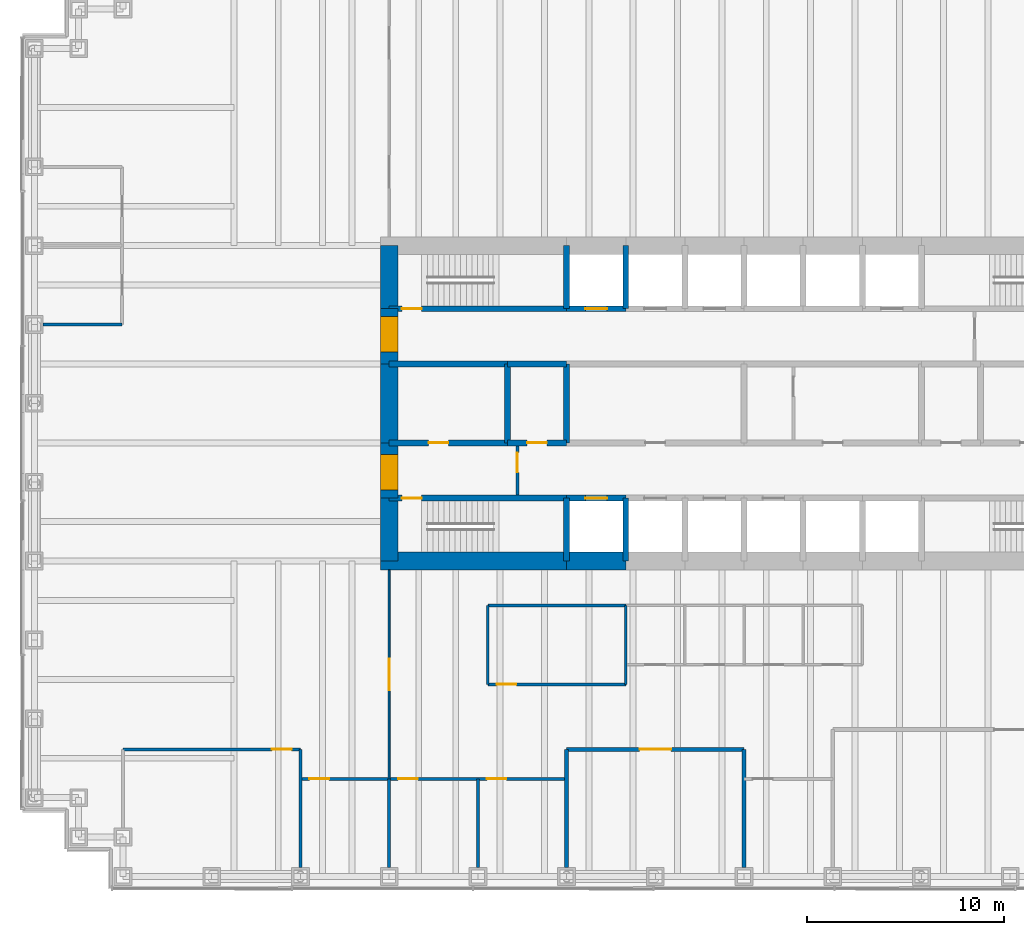
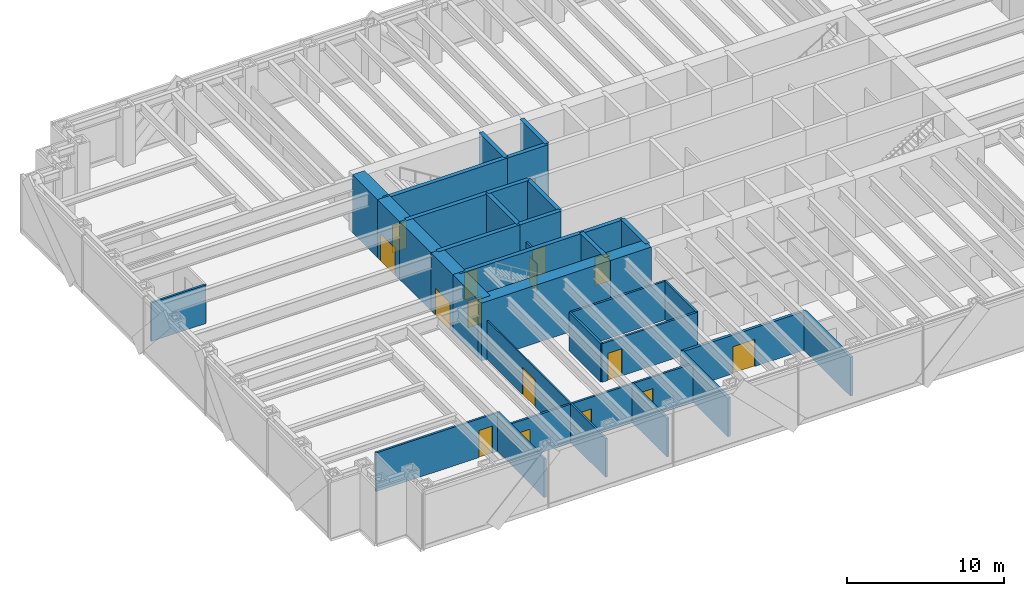
# One storey, part 9 of 13: 36 walls, 16 doors, 16 openings.
"""IFC4 building model written with IfcOpenShell, lengths in metres."""

from ifc_helpers import new_model, si_unit, direction, frame, frame_2d, origin, place, context, subcontext, project, spatial, rectangle, extrude, material, layer, layer_set, type_object, element, fill, save


model = new_model("IFC4")

# Units and contexts
model_context = context("Model", 3, precision=1e-05, world=origin(), true_north=direction((0.0, 1.0)))
body_context = subcontext(model_context, "Body", "Model", "MODEL_VIEW")
ifc_project = project(units=[si_unit("LENGTHUNIT", "METRE"), si_unit("AREAUNIT", "SQUARE_METRE"), si_unit("VOLUMEUNIT", "CUBIC_METRE"), si_unit("PLANEANGLEUNIT", "RADIAN"), si_unit("MASSUNIT", "GRAM", prefix="KILO")], contexts=[model_context])

# Site, building, storey
site_placement = place(None, origin())
site = spatial("IfcSite", under=ifc_project, at=site_placement, CompositionType="ELEMENT")
building_placement = place(site_placement, origin())
building = spatial("IfcBuilding", under=site, at=building_placement, Name="Rheinbord Bourse Tower", CompositionType="ELEMENT")
storey_placement = place(building_placement, frame((0.0, 0.0, 36.5)))
storey = spatial("IfcBuildingStorey", under=building, at=storey_placement, Name="L07", CompositionType="ELEMENT", Elevation=36.5)

# Wall, opening, door
ifc_material_1 = material(Name="Acoustic gypsum board partition", Category="gypsum board")
ifc_layer_1 = layer(ifc_material_1, 0.199951171875)
ifc_layer_set_1 = layer_set([ifc_layer_1], Name="ACOUSTIC PARTITION 200")
wall_type_1 = type_object("IfcWallType", Name="ACOUSTIC PARTITION 200", PredefinedType="PARTITIONING", material=ifc_layer_set_1)
wall_1_placement = place(storey_placement, frame((27.0, 6.449951171875, 0.0), z_axis=(0.0, 0.0, 1.0), x_axis=(1.0, 0.0, 0.0)))
wall_1 = element("IfcWall", 1, at=wall_1_placement, inside=storey, type_object=wall_type_1, Name="Partition L07-04", PredefinedType="PARTITIONING", context=body_context, shape_type="SweptSolid", body=[
    extrude(rectangle(XDim=9.0, YDim=0.199951171875, at=frame_2d((4.5, 0.0))), origin(), (0.0, 0.0, 1.0), 3.0),
])
opening_1_placement = place(wall_1_placement, frame((3.699951171875, 0.0, 0.0)))
opening_1 = element("IfcOpeningElement", 2, at=opening_1_placement, cuts=wall_1, Name="Opening 07D06", PredefinedType="OPENING", context=body_context, shape_type="SweptSolid", body=[
    extrude(rectangle(XDim=1.60009765625, YDim=2.10009765625, at=frame_2d((0.800048828125, 1.050048828125))), frame((0.0, 0.10986328125, 0.0), z_axis=(0.0, -1.0, 0.0), x_axis=(1.0, 0.0, 0.0)), (0.0, 0.0, 1.0), 0.219970703125),
])
ifc_material_2 = material(Name="Timber door", Category="wood")
door_type_1 = type_object("IfcDoorType", Name="DOUBLE ROOM DOOR 1600", OperationType="DOUBLE_DOOR_DOUBLE_SWING", PredefinedType="DOOR", material=ifc_material_2)
door_1_placement = place(opening_1_placement, origin())
door_1 = element("IfcDoor", 3, at=door_1_placement, inside=storey, type_object=door_type_1, Name="Risk room door L07", OperationType="SINGLE_SWING_LEFT", OverallHeight=2.10009765625, OverallWidth=1.60009765625, PredefinedType="DOOR", context=body_context, shape_type="SweptSolid", body=[
    extrude(rectangle(XDim=1.60009765625, YDim=2.10009765625, at=frame_2d((0.800048828125, 1.050048828125))), frame((0.0, 0.02490234375, 0.0), z_axis=(0.0, -1.0, 0.0), x_axis=(1.0, 0.0, 0.0)), (0.0, 0.0, 1.0), 0.050048828125),
])
fill(opening_1, door_1)

# Walls
for number, where, z_axis, x_axis, name in (
    (4, (27.0, 0.449951171875, 0.0), (0.0, 0.0, 1.0), (0.0, 1.0, 0.0), "Partition L07-28"),
    (5, (36.0, 0.449951171875, 0.0), (0.0, 0.0, 1.0), (0.0, 1.0, 0.0), "Partition L07-31"),
):
    element("IfcWall", number, at=place(storey_placement, frame(where, z_axis=z_axis, x_axis=x_axis)), inside=storey, type_object=wall_type_1, Name=name, PredefinedType="PARTITIONING", context=body_context, shape_type="SweptSolid", body=[
        extrude(rectangle(XDim=6.0, YDim=0.199951171875, at=frame_2d((3.0, 0.0))), origin(), (0.0, 0.0, 1.0), 3.0),
    ])

# Wall, opening, door
ifc_material_3 = material(Name="Concrete C50/60", Category="concrete")
ifc_layer_2 = layer(ifc_material_3, 0.300048828125)
ifc_layer_set_2 = layer_set([ifc_layer_2], Name="CORE INNER WALL 300")
wall_type_2 = type_object("IfcWallType", Name="CORE INNER WALL 300", PredefinedType="SOLIDWALL", material=ifc_layer_set_2)
wall_2_placement = place(storey_placement, frame((18.0, 19.199951171875, 0.0), z_axis=(0.0, 0.0, 1.0), x_axis=(1.0, 0.0, 0.0)))
wall_2 = element("IfcWall", 6, at=wall_2_placement, inside=storey, type_object=wall_type_2, Name="Core wall A1 L07", PredefinedType="SOLIDWALL", context=body_context, shape_type="SweptSolid", body=[
    extrude(rectangle(XDim=9.0, YDim=0.300048828125, at=frame_2d((4.5, 0.0))), origin(), (0.0, 0.0, 1.0), 4.5),
])
opening_2_placement = place(wall_2_placement, frame((0.64990234375, 0.0, 0.0)))
opening_2 = element("IfcOpeningElement", 7, at=opening_2_placement, cuts=wall_2, Name="Opening 0710", PredefinedType="OPENING", context=body_context, shape_type="SweptSolid", body=[
    extrude(rectangle(XDim=1.0, YDim=2.10009765625, at=frame_2d((0.5, 1.050048828125))), frame((0.0, 0.159912109375, 0.0), z_axis=(0.0, -1.0, 0.0), x_axis=(1.0, 0.0, 0.0)), (0.0, 0.0, 1.0), 0.320068359375),
])
ifc_material_4 = material(Name="Steel door", Category="steel")
door_type_2 = type_object("IfcDoorType", Name="DOOR 1000 EI30", OperationType="SINGLE_SWING_LEFT", PredefinedType="DOOR", material=ifc_material_4)
door_2_placement = place(opening_2_placement, origin())
door_2 = element("IfcDoor", 8, at=door_2_placement, inside=storey, type_object=door_type_2, Name="Stair door ST1 L07", OperationType="SINGLE_SWING_LEFT", OverallHeight=2.10009765625, OverallWidth=1.0, PredefinedType="DOOR", context=body_context, shape_type="SweptSolid", body=[
    extrude(rectangle(XDim=1.0, YDim=2.10009765625, at=frame_2d((0.5, 1.050048828125))), frame((0.0, 0.02490234375, 0.0), z_axis=(0.0, -1.0, 0.0), x_axis=(1.0, 0.0, 0.0)), (0.0, 0.0, 1.0), 0.050048828125),
])
fill(opening_2, door_2)

wall_3_placement = place(storey_placement, frame((27.0, 19.199951171875, 0.0), z_axis=(0.0, 0.0, 1.0), x_axis=(1.0, 0.0, 0.0)))
wall_3 = element("IfcWall", 9, at=wall_3_placement, inside=storey, type_object=wall_type_2, Name="Core wall A2 L07", PredefinedType="SOLIDWALL", context=body_context, shape_type="SweptSolid", body=[
    extrude(rectangle(XDim=3.0, YDim=0.300048828125, at=frame_2d((1.5, 0.0))), origin(), (0.0, 0.0, 1.0), 4.5),
])
opening_3_placement = place(wall_3_placement, frame((0.949951171875, 0.0, 0.0)))
opening_3 = element("IfcOpeningElement", 10, at=opening_3_placement, cuts=wall_3, Name="Opening FL1", PredefinedType="OPENING", context=body_context, shape_type="SweptSolid", body=[
    extrude(rectangle(XDim=1.10009765625, YDim=2.199951171875, at=frame_2d((0.550048828125, 1.10009765625))), frame((0.0, 0.159912109375, 0.0), z_axis=(0.0, -1.0, 0.0), x_axis=(1.0, 0.0, 0.0)), (0.0, 0.0, 1.0), 0.320068359375),
])
ifc_material_5 = material(Name="Steel landing door", Category="steel")
door_type_3 = type_object("IfcDoorType", Name="LIFT LANDING DOOR 1100", OperationType="DOUBLE_DOOR_SLIDING", PredefinedType="USERDEFINED", material=ifc_material_5)
door_3_placement = place(opening_3_placement, origin())
door_3 = element("IfcDoor", 11, at=door_3_placement, inside=storey, type_object=door_type_3, Name="Lift landing door FL1 L07", ObjectType="LIFT LANDING DOOR", OperationType="DOUBLE_DOOR_SLIDING", OverallHeight=2.199951171875, OverallWidth=1.10009765625, PredefinedType="USERDEFINED", context=body_context, shape_type="SweptSolid", body=[
    extrude(rectangle(XDim=1.10009765625, YDim=2.199951171875, at=frame_2d((0.550048828125, 1.10009765625))), frame((0.0, 0.02490234375, 0.0), z_axis=(0.0, -1.0, 0.0), x_axis=(1.0, 0.0, 0.0)), (0.0, 0.0, 1.0), 0.050048828125),
])
fill(opening_3, door_3)

wall_4_placement = place(storey_placement, frame((18.0, 28.800048828125, 0.0), z_axis=(0.0, 0.0, 1.0), x_axis=(1.0, 0.0, 0.0)))
wall_4 = element("IfcWall", 12, at=wall_4_placement, inside=storey, type_object=wall_type_2, Name="Core wall B1 L07", PredefinedType="SOLIDWALL", context=body_context, shape_type="SweptSolid", body=[
    extrude(rectangle(XDim=9.0, YDim=0.300048828125, at=frame_2d((4.5, 0.0))), origin(), (0.0, 0.0, 1.0), 4.5),
])
opening_4_placement = place(wall_4_placement, frame((0.64990234375, 0.0, 0.0)))
opening_4 = element("IfcOpeningElement", 13, at=opening_4_placement, cuts=wall_4, Name="Opening 0720", PredefinedType="OPENING", context=body_context, shape_type="SweptSolid", body=[
    extrude(rectangle(XDim=1.0, YDim=2.10009765625, at=frame_2d((0.5, 1.050048828125))), frame((0.0, 0.159912109375, 0.0), z_axis=(0.0, -1.0, 0.0), x_axis=(1.0, 0.0, 0.0)), (0.0, 0.0, 1.0), 0.320068359375),
])
door_4_placement = place(opening_4_placement, origin())
door_4 = element("IfcDoor", 14, at=door_4_placement, inside=storey, type_object=door_type_2, Name="Stair door ST2 L07", OperationType="SINGLE_SWING_LEFT", OverallHeight=2.10009765625, OverallWidth=1.0, PredefinedType="DOOR", context=body_context, shape_type="SweptSolid", body=[
    extrude(rectangle(XDim=1.0, YDim=2.10009765625, at=frame_2d((0.5, 1.050048828125))), frame((0.0, 0.02490234375, 0.0), z_axis=(0.0, -1.0, 0.0), x_axis=(1.0, 0.0, 0.0)), (0.0, 0.0, 1.0), 0.050048828125),
])
fill(opening_4, door_4)

wall_5_placement = place(storey_placement, frame((27.0, 28.800048828125, 0.0), z_axis=(0.0, 0.0, 1.0), x_axis=(1.0, 0.0, 0.0)))
wall_5 = element("IfcWall", 15, at=wall_5_placement, inside=storey, type_object=wall_type_2, Name="Core wall B2 L07", PredefinedType="SOLIDWALL", context=body_context, shape_type="SweptSolid", body=[
    extrude(rectangle(XDim=3.0, YDim=0.300048828125, at=frame_2d((1.5, 0.0))), origin(), (0.0, 0.0, 1.0), 4.5),
])
opening_5_placement = place(wall_5_placement, frame((0.949951171875, 0.0, 0.0)))
opening_5 = element("IfcOpeningElement", 16, at=opening_5_placement, cuts=wall_5, Name="Opening GL1", PredefinedType="OPENING", context=body_context, shape_type="SweptSolid", body=[
    extrude(rectangle(XDim=1.10009765625, YDim=2.199951171875, at=frame_2d((0.550048828125, 1.10009765625))), frame((0.0, 0.159912109375, 0.0), z_axis=(0.0, -1.0, 0.0), x_axis=(1.0, 0.0, 0.0)), (0.0, 0.0, 1.0), 0.320068359375),
])
door_5_placement = place(opening_5_placement, origin())
door_5 = element("IfcDoor", 17, at=door_5_placement, inside=storey, type_object=door_type_3, Name="Lift landing door GL1 L07", ObjectType="LIFT LANDING DOOR", OperationType="DOUBLE_DOOR_SLIDING", OverallHeight=2.199951171875, OverallWidth=1.10009765625, PredefinedType="USERDEFINED", context=body_context, shape_type="SweptSolid", body=[
    extrude(rectangle(XDim=1.10009765625, YDim=2.199951171875, at=frame_2d((0.550048828125, 1.10009765625))), frame((0.0, 0.02490234375, 0.0), z_axis=(0.0, -1.0, 0.0), x_axis=(1.0, 0.0, 0.0)), (0.0, 0.0, 1.0), 0.050048828125),
])
fill(opening_5, door_5)

wall_6_placement = place(storey_placement, frame((18.0, 22.0, 0.0), z_axis=(0.0, 0.0, 1.0), x_axis=(1.0, 0.0, 0.0)))
wall_6 = element("IfcWall", 18, at=wall_6_placement, inside=storey, type_object=wall_type_2, Name="Core wall C1 L07", PredefinedType="SOLIDWALL", context=body_context, shape_type="SweptSolid", body=[
    extrude(rectangle(XDim=6.0, YDim=0.300048828125, at=frame_2d((3.0, 0.0))), origin(), (0.0, 0.0, 1.0), 4.5),
])
opening_6_placement = place(wall_6_placement, frame((2.0, 0.0, 0.0)))
opening_6 = element("IfcOpeningElement", 19, at=opening_6_placement, cuts=wall_6, Name="Opening 07R1", PredefinedType="OPENING", context=body_context, shape_type="SweptSolid", body=[
    extrude(rectangle(XDim=1.0, YDim=2.10009765625, at=frame_2d((0.5, 1.050048828125))), frame((0.0, 0.159912109375, 0.0), z_axis=(0.0, -1.0, 0.0), x_axis=(1.0, 0.0, 0.0)), (0.0, 0.0, 1.0), 0.320068359375),
])
ifc_material_6 = material(Name="Timber door", Category="wood")
door_type_4 = type_object("IfcDoorType", Name="DOOR 1000 WC", OperationType="SINGLE_SWING_LEFT", PredefinedType="DOOR", material=ifc_material_6)
door_6_placement = place(opening_6_placement, origin())
door_6 = element("IfcDoor", 20, at=door_6_placement, inside=storey, type_object=door_type_4, Name="WC men door L07", OperationType="SINGLE_SWING_LEFT", OverallHeight=2.10009765625, OverallWidth=1.0, PredefinedType="DOOR", context=body_context, shape_type="SweptSolid", body=[
    extrude(rectangle(XDim=1.0, YDim=2.10009765625, at=frame_2d((0.5, 1.050048828125))), frame((0.0, 0.02490234375, 0.0), z_axis=(0.0, -1.0, 0.0), x_axis=(1.0, 0.0, 0.0)), (0.0, 0.0, 1.0), 0.050048828125),
])
fill(opening_6, door_6)

wall_7_placement = place(storey_placement, frame((24.0, 22.0, 0.0), z_axis=(0.0, 0.0, 1.0), x_axis=(1.0, 0.0, 0.0)))
wall_7 = element("IfcWall", 21, at=wall_7_placement, inside=storey, type_object=wall_type_2, Name="Core wall C2 L07", PredefinedType="SOLIDWALL", context=body_context, shape_type="SweptSolid", body=[
    extrude(rectangle(XDim=3.0, YDim=0.300048828125, at=frame_2d((1.5, 0.0))), origin(), (0.0, 0.0, 1.0), 4.5),
])
opening_7_placement = place(wall_7_placement, frame((1.0, 0.0, 0.0)))
opening_7 = element("IfcOpeningElement", 22, at=opening_7_placement, cuts=wall_7, Name="Opening 07R2", PredefinedType="OPENING", context=body_context, shape_type="SweptSolid", body=[
    extrude(rectangle(XDim=1.0, YDim=2.10009765625, at=frame_2d((0.5, 1.050048828125))), frame((0.0, 0.159912109375, 0.0), z_axis=(0.0, -1.0, 0.0), x_axis=(1.0, 0.0, 0.0)), (0.0, 0.0, 1.0), 0.320068359375),
])
door_7_placement = place(opening_7_placement, origin())
door_7 = element("IfcDoor", 23, at=door_7_placement, inside=storey, type_object=door_type_4, Name="Accessible WC door L07", OperationType="SINGLE_SWING_LEFT", OverallHeight=2.10009765625, OverallWidth=1.0, PredefinedType="DOOR", context=body_context, shape_type="SweptSolid", body=[
    extrude(rectangle(XDim=1.0, YDim=2.10009765625, at=frame_2d((0.5, 1.050048828125))), frame((0.0, 0.02490234375, 0.0), z_axis=(0.0, -1.0, 0.0), x_axis=(1.0, 0.0, 0.0)), (0.0, 0.0, 1.0), 0.050048828125),
])
fill(opening_7, door_7)

# Walls
wall_8_placement = place(storey_placement, frame((18.0, 26.0, 0.0), z_axis=(0.0, 0.0, 1.0), x_axis=(1.0, 0.0, 0.0)))
element("IfcWall", 24, at=wall_8_placement, inside=storey, type_object=wall_type_2, Name="Core wall D1 L07", PredefinedType="SOLIDWALL", context=body_context, shape_type="SweptSolid", body=[
    extrude(rectangle(XDim=6.0, YDim=0.300048828125, at=frame_2d((3.0, 0.0))), origin(), (0.0, 0.0, 1.0), 4.5),
])
wall_9_placement = place(storey_placement, frame((24.0, 26.0, 0.0), z_axis=(0.0, 0.0, 1.0), x_axis=(1.0, 0.0, 0.0)))
element("IfcWall", 25, at=wall_9_placement, inside=storey, type_object=wall_type_2, Name="Core wall D2 L07", PredefinedType="SOLIDWALL", context=body_context, shape_type="SweptSolid", body=[
    extrude(rectangle(XDim=3.0, YDim=0.300048828125, at=frame_2d((1.5, 0.0))), origin(), (0.0, 0.0, 1.0), 4.5),
])
for number, where, z_axis, x_axis, name in (
    (26, (27.0, 16.0, 0.0), (0.0, 0.0, 1.0), (0.0, 1.0, 0.0), "Core wall SX27 L07"),
    (27, (27.0, 28.800048828125, 0.0), (0.0, 0.0, 1.0), (0.0, 1.0, 0.0), "Core wall NX27 L07"),
    (28, (30.0, 16.0, 0.0), (0.0, 0.0, 1.0), (0.0, 1.0, 0.0), "Core wall SX30 L07"),
    (29, (30.0, 28.800048828125, 0.0), (0.0, 0.0, 1.0), (0.0, 1.0, 0.0), "Core wall NX30 L07"),
):
    element("IfcWall", number, at=place(storey_placement, frame(where, z_axis=z_axis, x_axis=x_axis)), inside=storey, type_object=wall_type_2, Name=name, PredefinedType="SOLIDWALL", context=body_context, shape_type="SweptSolid", body=[
        extrude(rectangle(XDim=3.199951171875, YDim=0.300048828125, at=frame_2d((1.60009765625, 0.0))), origin(), (0.0, 0.0, 1.0), 4.5),
    ])
for number, where, z_axis, x_axis, name in (
    (30, (24.0, 22.0, 0.0), (0.0, 0.0, 1.0), (0.0, 1.0, 0.0), "Core wall MX24 L07"),
    (31, (27.0, 22.0, 0.0), (0.0, 0.0, 1.0), (0.0, 1.0, 0.0), "Core wall MX27 L07"),
):
    element("IfcWall", number, at=place(storey_placement, frame(where, z_axis=z_axis, x_axis=x_axis)), inside=storey, type_object=wall_type_2, Name=name, PredefinedType="SOLIDWALL", context=body_context, shape_type="SweptSolid", body=[
        extrude(rectangle(XDim=4.0, YDim=0.300048828125, at=frame_2d((2.0, 0.0))), origin(), (0.0, 0.0, 1.0), 4.5),
    ])

# Wall, opening, door
ifc_material_7 = material(Name="Gypsum board fire partition", Category="gypsum board")
ifc_layer_3 = layer(ifc_material_7, 0.14990234375)
ifc_layer_set_3 = layer_set([ifc_layer_3], Name="CORE PARTITION 150 EI30")
wall_type_3 = type_object("IfcWallType", Name="CORE PARTITION 150 EI30", PredefinedType="PARTITIONING", material=ifc_layer_set_3)
wall_10_placement = place(storey_placement, frame((24.5, 19.35009765625, 0.0), z_axis=(0.0, 0.0, 1.0), x_axis=(0.0, 1.0, 0.0)))
wall_10 = element("IfcWall", 32, at=wall_10_placement, inside=storey, type_object=wall_type_3, Name="Core partition L07-4", PredefinedType="PARTITIONING", context=body_context, shape_type="SweptSolid", body=[
    extrude(rectangle(XDim=2.5, YDim=0.14990234375, at=frame_2d((1.25, 0.0))), origin(), (0.0, 0.0, 1.0), 3.0),
])
opening_8_placement = place(wall_10_placement, frame((1.14990234375, 0.0, 0.0)))
opening_8 = element("IfcOpeningElement", 33, at=opening_8_placement, cuts=wall_10, Name="Opening 07L5", PredefinedType="OPENING", context=body_context, shape_type="SweptSolid", body=[
    extrude(rectangle(XDim=1.0, YDim=2.10009765625, at=frame_2d((0.5, 1.050048828125))), frame((0.0, 0.0849609375, 0.0), z_axis=(0.0, -1.0, 0.0), x_axis=(1.0, 0.0, 0.0)), (0.0, 0.0, 1.0), 0.169921875),
])
door_8_placement = place(opening_8_placement, origin())
door_8 = element("IfcDoor", 34, at=door_8_placement, inside=storey, type_object=door_type_2, Name="Stair lobby door L07", OperationType="SINGLE_SWING_RIGHT", OverallHeight=2.10009765625, OverallWidth=1.0, PredefinedType="DOOR", context=body_context, shape_type="SweptSolid", body=[
    extrude(rectangle(XDim=1.0, YDim=2.10009765625, at=frame_2d((0.5, 1.050048828125))), frame((0.0, 0.02490234375, 0.0), z_axis=(0.0, -1.0, 0.0), x_axis=(1.0, 0.0, 0.0)), (0.0, 0.0, 1.0), 0.050048828125),
])
fill(opening_8, door_8)

# Walls
ifc_material_8 = material(Name="Concrete C50/60", Category="concrete")
ifc_layer_4 = layer(ifc_material_8, 0.89990234375)
ifc_layer_set_4 = layer_set([ifc_layer_4], Name="CORE WALL 900")
wall_type_4 = type_object("IfcWallType", Name="CORE WALL 900", PredefinedType="SHEAR", material=ifc_layer_set_4)
wall_11_placement = place(storey_placement, frame((17.550048828125, 16.0, 0.0), z_axis=(0.0, 0.0, 1.0), x_axis=(1.0, 0.0, 0.0)))
element("IfcWall", 35, at=wall_11_placement, inside=storey, type_object=wall_type_4, Name="Core wall S1 L07", PredefinedType="SHEAR", context=body_context, shape_type="SweptSolid", body=[
    extrude(rectangle(XDim=9.449951171875, YDim=0.89990234375, at=frame_2d((4.72509765625, 0.0))), origin(), (0.0, 0.0, 1.0), 4.5),
])
wall_12_placement = place(storey_placement, frame((27.0, 16.0, 0.0), z_axis=(0.0, 0.0, 1.0), x_axis=(1.0, 0.0, 0.0)))
element("IfcWall", 36, at=wall_12_placement, inside=storey, type_object=wall_type_4, Name="Core wall S2 L07", PredefinedType="SHEAR", context=body_context, shape_type="SweptSolid", body=[
    extrude(rectangle(XDim=3.0, YDim=0.89990234375, at=frame_2d((1.5, 0.0))), origin(), (0.0, 0.0, 1.0), 4.5),
])
wall_13_placement = place(storey_placement, frame((18.0, 32.0, 0.0), z_axis=(0.0, 0.0, 1.0), x_axis=(0.0, -1.0, 0.0)))
element("IfcWall", 37, at=wall_13_placement, inside=storey, type_object=wall_type_4, Name="Core wall W1 L07", PredefinedType="SHEAR", context=body_context, shape_type="SweptSolid", body=[
    extrude(rectangle(XDim=3.199951171875, YDim=0.89990234375, at=frame_2d((1.60009765625, 0.0))), origin(), (0.0, 0.0, 1.0), 4.5),
])

# Wall, opening, door
wall_14_placement = place(storey_placement, frame((18.0, 28.800048828125, 0.0), z_axis=(0.0, 0.0, 1.0), x_axis=(0.0, -1.0, 0.0)))
wall_14 = element("IfcWall", 38, at=wall_14_placement, inside=storey, type_object=wall_type_4, Name="Core wall W2 L07", PredefinedType="SHEAR", context=body_context, shape_type="SweptSolid", body=[
    extrude(rectangle(XDim=2.800048828125, YDim=0.89990234375, at=frame_2d((1.39990234375, 0.0))), origin(), (0.0, 0.0, 1.0), 4.5),
])
opening_9_placement = place(wall_14_placement, frame((0.39990234375, 0.0, 0.0)))
opening_9 = element("IfcOpeningElement", 39, at=opening_9_placement, cuts=wall_14, Name="Opening 07L2", PredefinedType="OPENING", context=body_context, shape_type="SweptSolid", body=[
    extrude(rectangle(XDim=1.800048828125, YDim=2.10009765625, at=frame_2d((0.89990234375, 1.050048828125))), frame((0.0, 0.4599609375, 0.0), z_axis=(0.0, -1.0, 0.0), x_axis=(1.0, 0.0, 0.0)), (0.0, 0.0, 1.0), 0.919921875),
])
ifc_material_9 = material(Name="Steel door", Category="steel")
door_type_5 = type_object("IfcDoorType", Name="DOOR 1800 EI30 DOUBLE", OperationType="DOUBLE_DOOR_DOUBLE_SWING", PredefinedType="DOOR", material=ifc_material_9)
door_9_placement = place(opening_9_placement, origin())
door_9 = element("IfcDoor", 40, at=door_9_placement, inside=storey, type_object=door_type_5, Name="Lobby door 2 L07", OperationType="SINGLE_SWING_LEFT", OverallHeight=2.10009765625, OverallWidth=1.800048828125, PredefinedType="DOOR", context=body_context, shape_type="SweptSolid", body=[
    extrude(rectangle(XDim=1.800048828125, YDim=2.10009765625, at=frame_2d((0.89990234375, 1.050048828125))), frame((0.0, 0.44970703125, 0.0), z_axis=(0.0, -1.0, 0.0), x_axis=(1.0, 0.0, 0.0)), (0.0, 0.0, 1.0), 0.8994140625),
])
fill(opening_9, door_9)

# Wall
wall_15_placement = place(storey_placement, frame((18.0, 26.0, 0.0), z_axis=(0.0, 0.0, 1.0), x_axis=(0.0, -1.0, 0.0)))
element("IfcWall", 41, at=wall_15_placement, inside=storey, type_object=wall_type_4, Name="Core wall W3 L07", PredefinedType="SHEAR", context=body_context, shape_type="SweptSolid", body=[
    extrude(rectangle(XDim=4.0, YDim=0.89990234375, at=frame_2d((2.0, 0.0))), origin(), (0.0, 0.0, 1.0), 4.5),
])

# Wall, opening, door
wall_16_placement = place(storey_placement, frame((18.0, 22.0, 0.0), z_axis=(0.0, 0.0, 1.0), x_axis=(0.0, -1.0, 0.0)))
wall_16 = element("IfcWall", 42, at=wall_16_placement, inside=storey, type_object=wall_type_4, Name="Core wall W4 L07", PredefinedType="SHEAR", context=body_context, shape_type="SweptSolid", body=[
    extrude(rectangle(XDim=2.800048828125, YDim=0.89990234375, at=frame_2d((1.39990234375, 0.0))), origin(), (0.0, 0.0, 1.0), 4.5),
])
opening_10_placement = place(wall_16_placement, frame((0.60009765625, 0.0, 0.0)))
opening_10 = element("IfcOpeningElement", 43, at=opening_10_placement, cuts=wall_16, Name="Opening 07L1", PredefinedType="OPENING", context=body_context, shape_type="SweptSolid", body=[
    extrude(rectangle(XDim=1.800048828125, YDim=2.10009765625, at=frame_2d((0.89990234375, 1.050048828125))), frame((0.0, 0.4599609375, 0.0), z_axis=(0.0, -1.0, 0.0), x_axis=(1.0, 0.0, 0.0)), (0.0, 0.0, 1.0), 0.919921875),
])
door_10_placement = place(opening_10_placement, origin())
door_10 = element("IfcDoor", 44, at=door_10_placement, inside=storey, type_object=door_type_5, Name="Lobby door 1 L07", OperationType="SINGLE_SWING_LEFT", OverallHeight=2.10009765625, OverallWidth=1.800048828125, PredefinedType="DOOR", context=body_context, shape_type="SweptSolid", body=[
    extrude(rectangle(XDim=1.800048828125, YDim=2.10009765625, at=frame_2d((0.89990234375, 1.050048828125))), frame((0.0, 0.44970703125, 0.0), z_axis=(0.0, -1.0, 0.0), x_axis=(1.0, 0.0, 0.0)), (0.0, 0.0, 1.0), 0.8994140625),
])
fill(opening_10, door_10)

# Wall
wall_17_placement = place(storey_placement, frame((18.0, 19.199951171875, 0.0), z_axis=(0.0, 0.0, 1.0), x_axis=(0.0, -1.0, 0.0)))
element("IfcWall", 45, at=wall_17_placement, inside=storey, type_object=wall_type_4, Name="Core wall W5 L07", PredefinedType="SHEAR", context=body_context, shape_type="SweptSolid", body=[
    extrude(rectangle(XDim=3.199951171875, YDim=0.89990234375, at=frame_2d((1.60009765625, 0.0))), origin(), (0.0, 0.0, 1.0), 4.5),
])

# Wall, opening, door
ifc_material_10 = material(Name="Gypsum board fire partition", Category="gypsum board")
ifc_layer_5 = layer(ifc_material_10, 0.14990234375)
ifc_layer_set_5 = layer_set([ifc_layer_5], Name="FIRE PARTITION 150 EI60")
wall_type_5 = type_object("IfcWallType", Name="FIRE PARTITION 150 EI60", PredefinedType="PARTITIONING", material=ifc_layer_set_5)
wall_18_placement = place(storey_placement, frame((23.0, 9.75, 0.0), z_axis=(0.0, 0.0, 1.0), x_axis=(1.0, 0.0, 0.0)))
wall_18 = element("IfcWall", 46, at=wall_18_placement, inside=storey, type_object=wall_type_5, Name="Partition L07-07", PredefinedType="PARTITIONING", context=body_context, shape_type="SweptSolid", body=[
    extrude(rectangle(XDim=7.0, YDim=0.14990234375, at=frame_2d((3.5, 0.0))), origin(), (0.0, 0.0, 1.0), 3.0),
])
opening_11_placement = place(wall_18_placement, frame((0.449951171875, 0.0, 0.0)))
opening_11 = element("IfcOpeningElement", 47, at=opening_11_placement, cuts=wall_18, Name="Opening 07D09", PredefinedType="OPENING", context=body_context, shape_type="SweptSolid", body=[
    extrude(rectangle(XDim=1.0, YDim=2.10009765625, at=frame_2d((0.5, 1.050048828125))), frame((0.0, 0.0849609375, 0.0), z_axis=(0.0, -1.0, 0.0), x_axis=(1.0, 0.0, 0.0)), (0.0, 0.0, 1.0), 0.169921875),
])
ifc_material_11 = material(Name="Timber fire door", Category="wood")
door_type_6 = type_object("IfcDoorType", Name="FIRE DOOR 1000 EI60", OperationType="SINGLE_SWING_LEFT", PredefinedType="DOOR", material=ifc_material_11)
door_11_placement = place(opening_11_placement, origin())
door_11 = element("IfcDoor", 48, at=door_11_placement, inside=storey, type_object=door_type_6, Name="Comms room door L07", OperationType="SINGLE_SWING_LEFT", OverallHeight=2.10009765625, OverallWidth=1.0, PredefinedType="DOOR", context=body_context, shape_type="SweptSolid", body=[
    extrude(rectangle(XDim=1.0, YDim=2.10009765625, at=frame_2d((0.5, 1.050048828125))), frame((0.0, 0.02490234375, 0.0), z_axis=(0.0, -1.0, 0.0), x_axis=(1.0, 0.0, 0.0)), (0.0, 0.0, 1.0), 0.050048828125),
])
fill(opening_11, door_11)

# Walls
wall_19_placement = place(storey_placement, frame((23.0, 13.75, 0.0), z_axis=(0.0, 0.0, 1.0), x_axis=(1.0, 0.0, 0.0)))
element("IfcWall", 49, at=wall_19_placement, inside=storey, type_object=wall_type_5, Name="Partition L07-10", PredefinedType="PARTITIONING", context=body_context, shape_type="SweptSolid", body=[
    extrude(rectangle(XDim=7.0, YDim=0.14990234375, at=frame_2d((3.5, 0.0))), origin(), (0.0, 0.0, 1.0), 3.0),
])
for number, where, z_axis, x_axis, name in (
    (50, (23.0, 9.75, 0.0), (0.0, 0.0, 1.0), (0.0, 1.0, 0.0), "Partition L07-27"),
    (51, (30.0, 9.75, 0.0), (0.0, 0.0, 1.0), (0.0, 1.0, 0.0), "Partition L07-29"),
):
    element("IfcWall", number, at=place(storey_placement, frame(where, z_axis=z_axis, x_axis=x_axis)), inside=storey, type_object=wall_type_5, Name=name, PredefinedType="PARTITIONING", context=body_context, shape_type="SweptSolid", body=[
        extrude(rectangle(XDim=4.0, YDim=0.14990234375, at=frame_2d((2.0, 0.0))), origin(), (0.0, 0.0, 1.0), 3.0),
    ])

# Wall, opening, door
ifc_material_12 = material(Name="Toughened laminated glass partition", Category="glass")
ifc_layer_6 = layer(ifc_material_12, 0.10009765625)
ifc_layer_set_6 = layer_set([ifc_layer_6], Name="GLAZED PARTITION 100")
wall_type_6 = type_object("IfcWallType", Name="GLAZED PARTITION 100", PredefinedType="PARTITIONING", material=ifc_layer_set_6)
wall_20_placement = place(storey_placement, frame((18.0, 4.949951171875, 0.0), z_axis=(0.0, 0.0, 1.0), x_axis=(0.0, 1.0, 0.0)))
wall_20 = element("IfcWall", 52, at=wall_20_placement, inside=storey, type_object=wall_type_6, Name="Partition L07-24", PredefinedType="PARTITIONING", context=body_context, shape_type="SweptSolid", body=[
    extrude(rectangle(XDim=10.60009765625, YDim=0.10009765625, at=frame_2d((5.300048828125, 0.0))), origin(), (0.0, 0.0, 1.0), 3.0),
])
opening_12_placement = place(wall_20_placement, frame((4.5, 0.0, 0.0)))
opening_12 = element("IfcOpeningElement", 53, at=opening_12_placement, cuts=wall_20, Name="Opening 07D20", PredefinedType="OPENING", context=body_context, shape_type="SweptSolid", body=[
    extrude(rectangle(XDim=1.60009765625, YDim=2.10009765625, at=frame_2d((0.800048828125, 1.050048828125))), frame((0.0, 0.06005859375, 0.0), z_axis=(0.0, -1.0, 0.0), x_axis=(1.0, 0.0, 0.0)), (0.0, 0.0, 1.0), 0.1201171875),
])
door_12_placement = place(opening_12_placement, origin())
door_12 = element("IfcDoor", 54, at=door_12_placement, inside=storey, type_object=door_type_1, Name="Open area door L07", OperationType="SINGLE_SWING_LEFT", OverallHeight=2.10009765625, OverallWidth=1.60009765625, PredefinedType="DOOR", context=body_context, shape_type="SweptSolid", body=[
    extrude(rectangle(XDim=1.60009765625, YDim=2.10009765625, at=frame_2d((0.800048828125, 1.050048828125))), frame((0.0, 0.02490234375, 0.0), z_axis=(0.0, -1.0, 0.0), x_axis=(1.0, 0.0, 0.0)), (0.0, 0.0, 1.0), 0.050048828125),
])
fill(opening_12, door_12)

# Wall, openings, doors
ifc_material_13 = material(Name="Gypsum board partition", Category="gypsum board")
ifc_layer_7 = layer(ifc_material_13, 0.14990234375)
ifc_layer_set_7 = layer_set([ifc_layer_7], Name="PARTITION 150")
wall_type_7 = type_object("IfcWallType", Name="PARTITION 150", PredefinedType="PARTITIONING", material=ifc_layer_set_7)
wall_21_placement = place(storey_placement, frame((13.5, 4.949951171875, 0.0), z_axis=(0.0, 0.0, 1.0), x_axis=(1.0, 0.0, 0.0)))
wall_21 = element("IfcWall", 55, at=wall_21_placement, inside=storey, type_object=wall_type_7, Name="Partition L07-01", PredefinedType="PARTITIONING", context=body_context, shape_type="SweptSolid", body=[
    extrude(rectangle(XDim=13.5, YDim=0.14990234375, at=frame_2d((6.75, 0.0))), origin(), (0.0, 0.0, 1.0), 3.0),
])
opening_13_placement = place(wall_21_placement, frame((0.449951171875, 0.0, 0.0)))
opening_13 = element("IfcOpeningElement", 56, at=opening_13_placement, cuts=wall_21, Name="Opening 07D01", PredefinedType="OPENING", context=body_context, shape_type="SweptSolid", body=[
    extrude(rectangle(XDim=1.0, YDim=2.10009765625, at=frame_2d((0.5, 1.050048828125))), frame((0.0, 0.0849609375, 0.0), z_axis=(0.0, -1.0, 0.0), x_axis=(1.0, 0.0, 0.0)), (0.0, 0.0, 1.0), 0.169921875),
])
opening_14_placement = place(wall_21_placement, frame((4.949951171875, 0.0, 0.0)))
opening_14 = element("IfcOpeningElement", 57, at=opening_14_placement, cuts=wall_21, Name="Opening 07D02", PredefinedType="OPENING", context=body_context, shape_type="SweptSolid", body=[
    extrude(rectangle(XDim=1.0, YDim=2.10009765625, at=frame_2d((0.5, 1.050048828125))), frame((0.0, 0.0849609375, 0.0), z_axis=(0.0, -1.0, 0.0), x_axis=(1.0, 0.0, 0.0)), (0.0, 0.0, 1.0), 0.169921875),
])
opening_15_placement = place(wall_21_placement, frame((9.449951171875, 0.0, 0.0)))
opening_15 = element("IfcOpeningElement", 58, at=opening_15_placement, cuts=wall_21, Name="Opening 07D03", PredefinedType="OPENING", context=body_context, shape_type="SweptSolid", body=[
    extrude(rectangle(XDim=1.0, YDim=2.10009765625, at=frame_2d((0.5, 1.050048828125))), frame((0.0, 0.0849609375, 0.0), z_axis=(0.0, -1.0, 0.0), x_axis=(1.0, 0.0, 0.0)), (0.0, 0.0, 1.0), 0.169921875),
])
ifc_material_14 = material(Name="Timber door", Category="wood")
door_type_7 = type_object("IfcDoorType", Name="ROOM DOOR 1000", OperationType="SINGLE_SWING_LEFT", PredefinedType="DOOR", material=ifc_material_14)
door_13_placement = place(opening_13_placement, origin())
door_13 = element("IfcDoor", 59, at=door_13_placement, inside=storey, type_object=door_type_7, Name="Office door L07", OperationType="SINGLE_SWING_LEFT", OverallHeight=2.10009765625, OverallWidth=1.0, PredefinedType="DOOR", context=body_context, shape_type="SweptSolid", body=[
    extrude(rectangle(XDim=1.0, YDim=2.10009765625, at=frame_2d((0.5, 1.050048828125))), frame((0.0, 0.02490234375, 0.0), z_axis=(0.0, -1.0, 0.0), x_axis=(1.0, 0.0, 0.0)), (0.0, 0.0, 1.0), 0.050048828125),
])
fill(opening_13, door_13)
door_14_placement = place(opening_14_placement, origin())
door_14 = element("IfcDoor", 60, at=door_14_placement, inside=storey, type_object=door_type_7, Name="Office door L07", OperationType="SINGLE_SWING_LEFT", OverallHeight=2.10009765625, OverallWidth=1.0, PredefinedType="DOOR", context=body_context, shape_type="SweptSolid", body=[
    extrude(rectangle(XDim=1.0, YDim=2.10009765625, at=frame_2d((0.5, 1.050048828125))), frame((0.0, 0.02490234375, 0.0), z_axis=(0.0, -1.0, 0.0), x_axis=(1.0, 0.0, 0.0)), (0.0, 0.0, 1.0), 0.050048828125),
])
fill(opening_14, door_14)
door_15_placement = place(opening_15_placement, origin())
door_15 = element("IfcDoor", 61, at=door_15_placement, inside=storey, type_object=door_type_7, Name="Office door L07", OperationType="SINGLE_SWING_RIGHT", OverallHeight=2.10009765625, OverallWidth=1.0, PredefinedType="DOOR", context=body_context, shape_type="SweptSolid", body=[
    extrude(rectangle(XDim=1.0, YDim=2.10009765625, at=frame_2d((0.5, 1.050048828125))), frame((0.0, 0.02490234375, 0.0), z_axis=(0.0, -1.0, 0.0), x_axis=(1.0, 0.0, 0.0)), (0.0, 0.0, 1.0), 0.050048828125),
])
fill(opening_15, door_15)

# Wall, opening, door
wall_22_placement = place(storey_placement, frame((4.5, 6.449951171875, 0.0), z_axis=(0.0, 0.0, 1.0), x_axis=(1.0, 0.0, 0.0)))
wall_22 = element("IfcWall", 62, at=wall_22_placement, inside=storey, type_object=wall_type_7, Name="Partition L07-03", PredefinedType="PARTITIONING", context=body_context, shape_type="SweptSolid", body=[
    extrude(rectangle(XDim=9.0, YDim=0.14990234375, at=frame_2d((4.5, 0.0))), origin(), (0.0, 0.0, 1.0), 3.0),
])
opening_16_placement = place(wall_22_placement, frame((7.550048828125, 0.0, 0.0)))
opening_16 = element("IfcOpeningElement", 63, at=opening_16_placement, cuts=wall_22, Name="Opening 07D05", PredefinedType="OPENING", context=body_context, shape_type="SweptSolid", body=[
    extrude(rectangle(XDim=1.0, YDim=2.10009765625, at=frame_2d((0.5, 1.050048828125))), frame((0.0, 0.0849609375, 0.0), z_axis=(0.0, -1.0, 0.0), x_axis=(1.0, 0.0, 0.0)), (0.0, 0.0, 1.0), 0.169921875),
])
door_16_placement = place(opening_16_placement, origin())
door_16 = element("IfcDoor", 64, at=door_16_placement, inside=storey, type_object=door_type_7, Name="Head of trading office door L07", OperationType="SINGLE_SWING_RIGHT", OverallHeight=2.10009765625, OverallWidth=1.0, PredefinedType="DOOR", context=body_context, shape_type="SweptSolid", body=[
    extrude(rectangle(XDim=1.0, YDim=2.10009765625, at=frame_2d((0.5, 1.050048828125))), frame((0.0, 0.02490234375, 0.0), z_axis=(0.0, -1.0, 0.0), x_axis=(1.0, 0.0, 0.0)), (0.0, 0.0, 1.0), 0.050048828125),
])
fill(opening_16, door_16)

# Walls
wall_23_placement = place(storey_placement, frame((0.449951171875, 28.0, 0.0), z_axis=(0.0, 0.0, 1.0), x_axis=(1.0, 0.0, 0.0)))
element("IfcWall", 65, at=wall_23_placement, inside=storey, type_object=wall_type_7, Name="Partition L07-14", PredefinedType="PARTITIONING", context=body_context, shape_type="SweptSolid", body=[
    extrude(rectangle(XDim=4.0, YDim=0.14990234375, at=frame_2d((2.0, 0.0))), origin(), (0.0, 0.0, 1.0), 3.0),
])
wall_24_placement = place(storey_placement, frame((13.5, 0.449951171875, 0.0), z_axis=(0.0, 0.0, 1.0), x_axis=(0.0, 1.0, 0.0)))
element("IfcWall", 66, at=wall_24_placement, inside=storey, type_object=wall_type_7, Name="Partition L07-22", PredefinedType="PARTITIONING", context=body_context, shape_type="SweptSolid", body=[
    extrude(rectangle(XDim=6.0, YDim=0.14990234375, at=frame_2d((3.0, 0.0))), origin(), (0.0, 0.0, 1.0), 3.0),
])
for number, where, z_axis, x_axis, name in (
    (67, (18.0, 0.449951171875, 0.0), (0.0, 0.0, 1.0), (0.0, 1.0, 0.0), "Partition L07-23"),
    (68, (22.5, 0.449951171875, 0.0), (0.0, 0.0, 1.0), (0.0, 1.0, 0.0), "Partition L07-26"),
):
    element("IfcWall", number, at=place(storey_placement, frame(where, z_axis=z_axis, x_axis=x_axis)), inside=storey, type_object=wall_type_7, Name=name, PredefinedType="PARTITIONING", context=body_context, shape_type="SweptSolid", body=[
        extrude(rectangle(XDim=4.5, YDim=0.14990234375, at=frame_2d((2.25, 0.0))), origin(), (0.0, 0.0, 1.0), 3.0),
    ])

save(model, "model.ifc")
